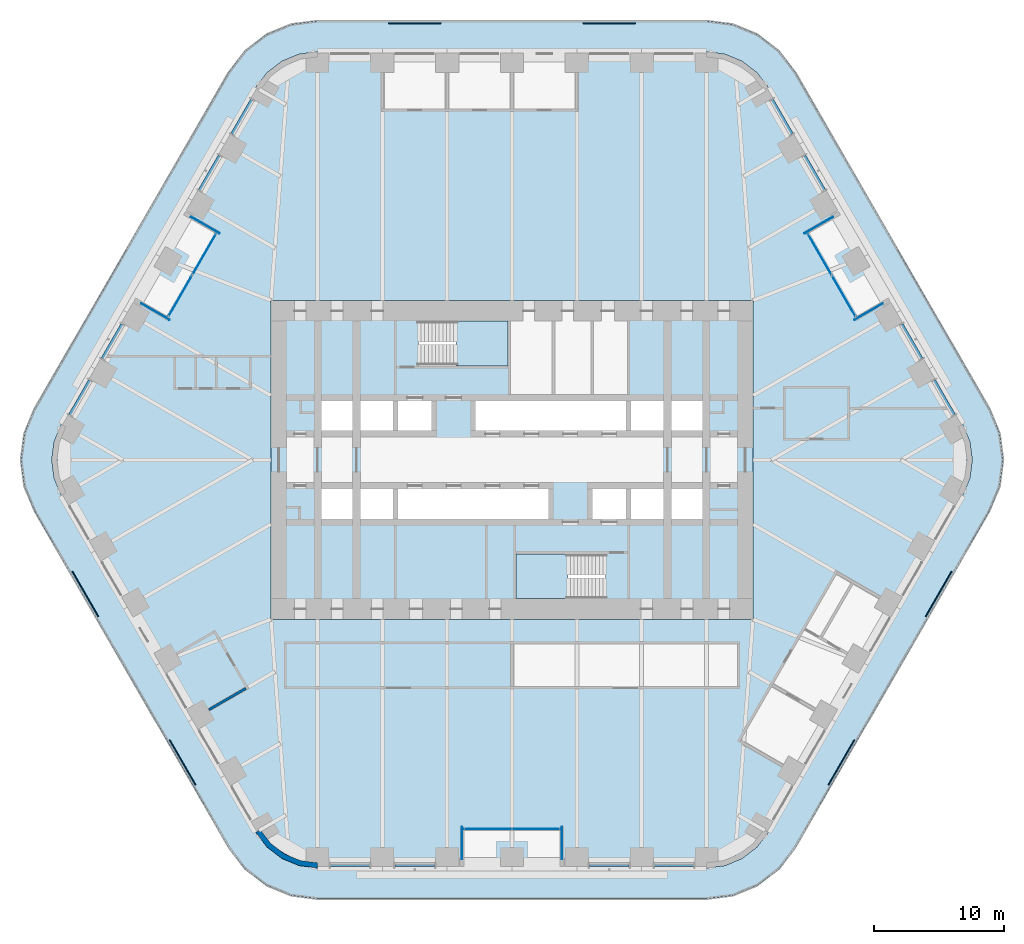
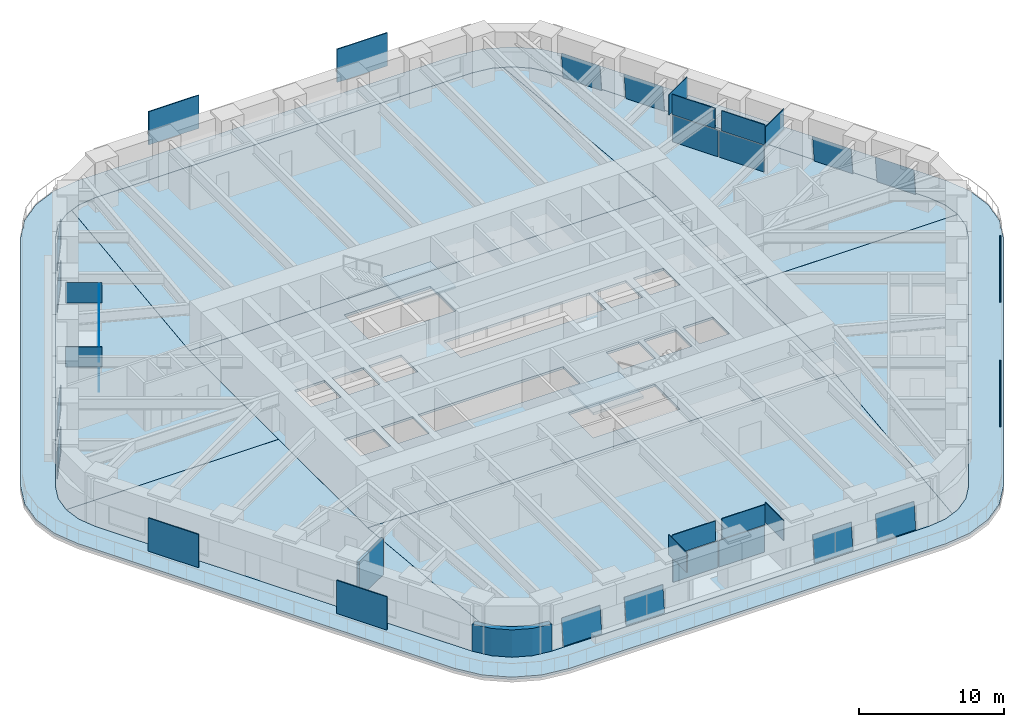
# One storey, part 16 of 24: 36 plates, 10 slabs, 2 walls, 17 elements without a shape of their own.
"""IFC4 building model written with IfcOpenShell, lengths in metres."""

from ifc_helpers import new_model, si_unit, direction, frame, frame_2d, origin, origin_2d, place, context, subcontext, project, spatial, polyline, rectangle, outline, extrude, material, layer, layer_set, type_object, element, aggregate, save


model = new_model("IFC4")

# Units and contexts
model_context = context("Model", 3, precision=1e-05, world=origin(), true_north=direction((0.0, 1.0)))
body_context = subcontext(model_context, "Body", "Model", "MODEL_VIEW")
ifc_project = project(units=[si_unit("LENGTHUNIT", "METRE"), si_unit("AREAUNIT", "SQUARE_METRE"), si_unit("VOLUMEUNIT", "CUBIC_METRE"), si_unit("PLANEANGLEUNIT", "RADIAN"), si_unit("MASSUNIT", "GRAM", prefix="KILO")], contexts=[model_context])

# Site, building, storey
site_placement = place(None, origin())
site = spatial("IfcSite", under=ifc_project, at=site_placement, CompositionType="ELEMENT")
building_placement = place(site_placement, origin())
building = spatial("IfcBuilding", under=site, at=building_placement, Name="Tarfa Lantern Tower", CompositionType="ELEMENT")
storey_placement = place(building_placement, frame((0.0, 0.0, 123.699951171875)))
storey = spatial("IfcBuildingStorey", under=building, at=storey_placement, Name="L27", CompositionType="ELEMENT", Elevation=123.699951171875)

# Slab
ifc_material_1 = material(Name="Concrete C40/50", Category="concrete")
ifc_layer_1 = layer(ifc_material_1, 0.199951171875)
ifc_layer_set_1 = layer_set([ifc_layer_1], Name="BS2 BALCONY SLAB 200")
slab_type_1 = type_object("IfcSlabType", Name="BS2 BALCONY SLAB 200", PredefinedType="FLOOR", material=ifc_layer_set_1)
slab_1_placement = place(storey_placement, frame((0.0, 0.0, -0.199951171875)))
element("IfcSlab", 1, at=slab_1_placement, inside=storey, type_object=slab_type_1, Name="Balcony L27", PredefinedType="FLOOR", context=body_context, shape_type="SweptSolid", body=[
    extrude(outline(polyline([(36.86376953125, 3.949951171875), (21.852783203125, 29.949951171875), (20.59716796875, 31.586181640625), (18.961181640625, 32.841552734375), (17.0556640625, 33.630859375), (15.010986328125, 33.89990234375), (-15.010986328125, 33.89990234375), (-17.0556640625, 33.630859375), (-18.961181640625, 32.841552734375), (-20.59716796875, 31.586181640625), (-21.852783203125, 29.949951171875), (-36.86376953125, 3.949951171875), (-37.653076171875, 2.044677734375), (-37.922119140625, 0.0), (-37.653076171875, -2.044677734375), (-36.86376953125, -3.949951171875), (-21.852783203125, -29.949951171875), (-20.59716796875, -31.586181640625), (-18.961181640625, -32.841552734375), (-17.0556640625, -33.630859375), (-15.010986328125, -33.89990234375), (15.010986328125, -33.89990234375), (17.0556640625, -33.630859375), (18.961181640625, -32.841552734375), (20.59716796875, -31.586181640625), (21.852783203125, -29.949951171875), (36.86376953125, -3.949951171875), (37.653076171875, -2.044677734375), (37.922119140625, 0.0), (37.653076171875, 2.044677734375), (36.86376953125, 3.949951171875)]), holes=[polyline([(34.785400390625, 2.75), (19.774169921875, 28.75), (18.900146484375, 29.88916015625), (17.760986328125, 30.76318359375), (16.4345703125, 31.3125), (15.010986328125, 31.5), (-15.010986328125, 31.5), (-16.4345703125, 31.3125), (-17.760986328125, 30.76318359375), (-18.900146484375, 29.88916015625), (-19.774169921875, 28.75), (-34.785400390625, 2.75), (-35.334716796875, 1.423583984375), (-35.522216796875, 0.0), (-35.334716796875, -1.423583984375), (-34.785400390625, -2.75), (-19.774169921875, -28.75), (-18.900146484375, -29.88916015625), (-17.760986328125, -30.76318359375), (-16.4345703125, -31.3125), (-15.010986328125, -31.5), (15.010986328125, -31.5), (16.4345703125, -31.3125), (17.760986328125, -30.76318359375), (18.900146484375, -29.88916015625), (19.774169921875, -28.75), (34.785400390625, -2.75), (35.334716796875, -1.423583984375), (35.522216796875, 0.0), (35.334716796875, 1.423583984375), (34.785400390625, 2.75)])]), origin(), (0.0, 0.0, 1.0), 0.199951171875),
])

# Curtain wall, plate
ifc_material_2 = material(Name="Aluminium framed curtain wall", Category="aluminium")
curtain_wall_type_1 = type_object("IfcCurtainWallType", Name="CW2 CANTED GLAZING MID ZONE 2300", PredefinedType="USERDEFINED", material=ifc_material_2)
curtain_wall_1_placement = place(storey_placement, origin())
curtain_wall_1 = element("IfcCurtainWall", 2, at=curtain_wall_1_placement, inside=storey, type_object=curtain_wall_type_1, Name="CW2 NE L27", ObjectType="CURTAIN WALL", PredefinedType="USERDEFINED")
ifc_material_3 = material(Name="Laminated double glazing", Category="glass")
ifc_layer_2 = layer(ifc_material_3, 0.028076171875)
ifc_layer_set_2 = layer_set([ifc_layer_2], Name="CWP1 DOUBLE GLAZED PANEL")
plate_type_1 = type_object("IfcPlateType", Name="CWP1 DOUBLE GLAZED PANEL", PredefinedType="CURTAIN_PANEL", material=ifc_layer_set_2)
plate_1_placement = place(storey_placement, frame((34.21630859375, 3.53564453125, 0.0), z_axis=(0.860950188313, 0.497081668846, 0.108049006198), x_axis=(-0.500008936691, 0.866020244122, 0.0)))
plate_1 = element("IfcPlate", 3, at=plate_1_placement, type_object=plate_type_1, Name="CW2 panel 1.1", PredefinedType="CURTAIN_PANEL", context=body_context, shape_type="SweptSolid", body=[
    extrude(outline(polyline([(0.0, 0.0), (3.0736755317705216, -2.7755575615628914e-17), (3.073820952204966, 2.2482697621832255), (0.00014542043444425168, 2.2482697621832255), (0.0, 0.0)])), origin(), (0.0, 0.0, -1.0), 0.028076171875),
])
aggregate(curtain_wall_1, [plate_1])

curtain_wall_2_placement = place(storey_placement, origin())
curtain_wall_2 = element("IfcCurtainWall", 4, at=curtain_wall_2_placement, inside=storey, type_object=curtain_wall_type_1, Name="CW2 NE L27", ObjectType="CURTAIN WALL", PredefinedType="USERDEFINED")
plate_2_placement = place(storey_placement, frame((31.71435546875, 7.869140625, 0.0), z_axis=(0.860945136195, 0.497078751935, 0.108102668035), x_axis=(-0.500008936691, 0.866020244122, 0.0)))
plate_2 = element("IfcPlate", 5, at=plate_2_placement, type_object=plate_type_1, Name="CW2 panel 1.1", PredefinedType="CURTAIN_PANEL", context=body_context, shape_type="SweptSolid", body=[
    extrude(outline(polyline([(0.0, 0.0), (3.0736755317705216, -2.7755575615628914e-17), (3.0736095214813033, 2.2482829552702466), (-6.601028921829344e-05, 2.2482829552702466), (0.0, 0.0)])), origin(), (0.0, 0.0, -1.0), 0.028076171875),
])
aggregate(curtain_wall_2, [plate_2])

curtain_wall_3_placement = place(storey_placement, origin())
curtain_wall_3 = element("IfcCurtainWall", 6, at=curtain_wall_3_placement, inside=storey, type_object=curtain_wall_type_1, Name="CW2 NEB L27", ObjectType="CURTAIN WALL", PredefinedType="USERDEFINED")
plate_3_placement = place(storey_placement, frame((24.208740234375, 20.869140625, 0.0), z_axis=(0.860953884959, 0.497083803157, 0.108009724623), x_axis=(-0.500008936691, 0.866020244122, 0.0)))
plate_3 = element("IfcPlate", 7, at=plate_3_placement, type_object=plate_type_1, Name="CW2 panel 1.1", PredefinedType="CURTAIN_PANEL", context=body_context, shape_type="SweptSolid", body=[
    extrude(outline(polyline([(0.0, 0.0), (3.0736755317705216, -2.7755575615628914e-17), (3.073487448986994, 2.248260108870411), (-0.000188082783527721, 2.248260108870411), (0.0, 0.0)])), origin(), (0.0, 0.0, -1.0), 0.028076171875),
])
aggregate(curtain_wall_3, [plate_3])

curtain_wall_4_placement = place(storey_placement, origin())
curtain_wall_4 = element("IfcCurtainWall", 8, at=curtain_wall_4_placement, inside=storey, type_object=curtain_wall_type_1, Name="CW2 NEB L27", ObjectType="CURTAIN WALL", PredefinedType="USERDEFINED")
plate_4_placement = place(storey_placement, frame((21.70703125, 25.202392578125, 0.0), z_axis=(0.86095753291, 0.497063114566, 0.10807583756), x_axis=(-0.499991940844, 0.866030056687, 2.133498e-06)))
plate_4 = element("IfcPlate", 9, at=plate_4_placement, type_object=plate_type_1, Name="CW2 panel 1.1", PredefinedType="CURTAIN_PANEL", context=body_context, shape_type="SweptSolid", body=[
    extrude(outline(polyline([(0.0, 0.0), (3.07367553117162, -2.7755575615628914e-17), (3.0738209528038953, 2.2482697613643725), (-6.60114870335402e-05, 2.2482829544514407), (0.0, 0.0)])), origin(), (0.0, 0.0, -1.0), 0.028076171875),
])
aggregate(curtain_wall_4, [plate_4])

# Curtain wall, plates
curtain_wall_type_2 = type_object("IfcCurtainWallType", Name="CW10 LOGGIA GLAZING 2300", PredefinedType="USERDEFINED", material=ifc_material_2)
curtain_wall_5_placement = place(storey_placement, origin())
curtain_wall_5 = element("IfcCurtainWall", 10, at=curtain_wall_5_placement, inside=storey, type_object=curtain_wall_type_2, Name="CW10 NEL L27", ObjectType="CURTAIN WALL", PredefinedType="USERDEFINED")
plate_5_placement = place(storey_placement, frame((25.599609375, 12.660400390625, 0.0), z_axis=(0.0, 0.0, 1.0), x_axis=(-0.5, 0.866025403784, 0.0)))
plate_5 = element("IfcPlate", 11, at=plate_5_placement, type_object=plate_type_1, Name="CW10 panel 1.1", PredefinedType="CURTAIN_PANEL", context=body_context, shape_type="SweptSolid", body=[
    extrude(rectangle(XDim=3.606201171875, YDim=0.028076171875, at=origin_2d()), origin(), (0.0, 0.0, 1.0), 2.235107421875),
])
plate_6_placement = place(storey_placement, frame((23.763916015625, 15.839599609375, 0.0), z_axis=(0.0, 0.0, 1.0), x_axis=(-0.5, 0.866025403784, 0.0)))
plate_6 = element("IfcPlate", 12, at=plate_6_placement, type_object=plate_type_1, Name="CW10 panel 2.1", PredefinedType="CURTAIN_PANEL", context=body_context, shape_type="SweptSolid", body=[
    extrude(rectangle(XDim=3.606201171875, YDim=0.028076171875, at=origin_2d()), origin(), (0.0, 0.0, 1.0), 2.235107421875),
])
aggregate(curtain_wall_5, [plate_5, plate_6])

# Curtain wall, plate
curtain_wall_6_placement = place(storey_placement, origin())
curtain_wall_6 = element("IfcCurtainWall", 13, at=curtain_wall_6_placement, inside=storey, type_object=curtain_wall_type_1, Name="CW2 NW L27", ObjectType="CURTAIN WALL", PredefinedType="USERDEFINED")
plate_7_placement = place(storey_placement, frame((-20.170166015625, 27.8642578125, 0.0), z_axis=(-0.86095753291, 0.497063114566, 0.10807583756), x_axis=(-0.499991940844, -0.866030056687, -2.133498e-06)))
plate_7 = element("IfcPlate", 14, at=plate_7_placement, type_object=plate_type_1, Name="CW2 panel 1.1", PredefinedType="CURTAIN_PANEL", context=body_context, shape_type="SweptSolid", body=[
    extrude(outline(polyline([(0.0, 0.0), (3.07367553117162, 2.7755575615628914e-17), (3.0737415426586536, 2.2482829544514407), (-0.00014542163227493655, 2.2482697613643725), (0.0, 0.0)])), origin(), (0.0, 0.0, -1.0), 0.028076171875),
])
aggregate(curtain_wall_6, [plate_7])

curtain_wall_7_placement = place(storey_placement, origin())
curtain_wall_7 = element("IfcCurtainWall", 15, at=curtain_wall_7_placement, inside=storey, type_object=curtain_wall_type_1, Name="CW2 NW L27", ObjectType="CURTAIN WALL", PredefinedType="USERDEFINED")
plate_8_placement = place(storey_placement, frame((-22.671875, 23.531005859375, 0.0), z_axis=(-0.860953884959, 0.497083803157, 0.108009724623), x_axis=(-0.500008936691, -0.866020244122, 0.0)))
plate_8 = element("IfcPlate", 16, at=plate_8_placement, type_object=plate_type_1, Name="CW2 panel 1.1", PredefinedType="CURTAIN_PANEL", context=body_context, shape_type="SweptSolid", body=[
    extrude(outline(polyline([(0.0, 0.0), (3.0736755317705216, 2.7755575615628914e-17), (3.073863614554049, 2.248260108870411), (0.000188082783527721, 2.248260108870411), (0.0, 0.0)])), origin(), (0.0, 0.0, -1.0), 0.028076171875),
])
aggregate(curtain_wall_7, [plate_8])

curtain_wall_8_placement = place(storey_placement, origin())
curtain_wall_8 = element("IfcCurtainWall", 17, at=curtain_wall_8_placement, inside=storey, type_object=curtain_wall_type_1, Name="CW2 NWB L27", ObjectType="CURTAIN WALL", PredefinedType="USERDEFINED")
plate_9_placement = place(storey_placement, frame((-30.177490234375, 10.531005859375, 0.0), z_axis=(-0.860945136195, 0.497078751935, 0.108102668035), x_axis=(-0.500008936691, -0.866020244122, 0.0)))
plate_9 = element("IfcPlate", 18, at=plate_9_placement, type_object=plate_type_1, Name="CW2 panel 1.1", PredefinedType="CURTAIN_PANEL", context=body_context, shape_type="SweptSolid", body=[
    extrude(outline(polyline([(0.0, 0.0), (3.0736755317705216, 2.7755575615628914e-17), (3.07374154205974, 2.2482829552702466), (6.601028921829344e-05, 2.2482829552702466), (0.0, 0.0)])), origin(), (0.0, 0.0, -1.0), 0.028076171875),
])
aggregate(curtain_wall_8, [plate_9])

curtain_wall_9_placement = place(storey_placement, origin())
curtain_wall_9 = element("IfcCurtainWall", 19, at=curtain_wall_9_placement, inside=storey, type_object=curtain_wall_type_1, Name="CW2 NWB L27", ObjectType="CURTAIN WALL", PredefinedType="USERDEFINED")
plate_10_placement = place(storey_placement, frame((-32.679443359375, 6.197509765625, 0.0), z_axis=(-0.860950188313, 0.497081668846, 0.108049006198), x_axis=(-0.500008936691, -0.866020244122, 0.0)))
plate_10 = element("IfcPlate", 20, at=plate_10_placement, type_object=plate_type_1, Name="CW2 panel 1.1", PredefinedType="CURTAIN_PANEL", context=body_context, shape_type="SweptSolid", body=[
    extrude(outline(polyline([(0.0, 0.0), (3.0736755317705216, 2.7755575615628914e-17), (3.0735301113360776, 2.2482697621832255), (-0.00014542043444425168, 2.2482697621832255), (0.0, 0.0)])), origin(), (0.0, 0.0, -1.0), 0.028076171875),
])
aggregate(curtain_wall_9, [plate_10])

# Curtain wall, plates
curtain_wall_10_placement = place(storey_placement, origin())
curtain_wall_10 = element("IfcCurtainWall", 21, at=curtain_wall_10_placement, inside=storey, type_object=curtain_wall_type_2, Name="CW10 NWL L27", ObjectType="CURTAIN WALL", PredefinedType="USERDEFINED")
plate_11_placement = place(storey_placement, frame((-23.763916015625, 15.839599609375, 0.0), z_axis=(0.0, 0.0, 1.0), x_axis=(-0.5, -0.866025403784, 0.0)))
plate_11 = element("IfcPlate", 22, at=plate_11_placement, type_object=plate_type_1, Name="CW10 panel 1.1", PredefinedType="CURTAIN_PANEL", context=body_context, shape_type="SweptSolid", body=[
    extrude(rectangle(XDim=3.606201171875, YDim=0.028076171875, at=origin_2d()), origin(), (0.0, 0.0, 1.0), 2.235107421875),
])
plate_12_placement = place(storey_placement, frame((-25.599609375, 12.660400390625, 0.0), z_axis=(0.0, 0.0, 1.0), x_axis=(-0.5, -0.866025403784, 0.0)))
plate_12 = element("IfcPlate", 23, at=plate_12_placement, type_object=plate_type_1, Name="CW10 panel 2.1", PredefinedType="CURTAIN_PANEL", context=body_context, shape_type="SweptSolid", body=[
    extrude(rectangle(XDim=3.606201171875, YDim=0.028076171875, at=origin_2d()), origin(), (0.0, 0.0, 1.0), 2.235107421875),
])
aggregate(curtain_wall_10, [plate_11, plate_12])

# Curtain wall, plate
curtain_wall_11_placement = place(storey_placement, origin())
curtain_wall_11 = element("IfcCurtainWall", 24, at=curtain_wall_11_placement, inside=storey, type_object=curtain_wall_type_1, Name="CW2 S L27", ObjectType="CURTAIN WALL", PredefinedType="USERDEFINED")
plate_13_placement = place(storey_placement, frame((-14.046142578125, -31.39990234375, 0.0), z_axis=(0.0, -0.994145730989, 0.108047515274), x_axis=(1.0, 0.0, 0.0)))
plate_13 = element("IfcPlate", 25, at=plate_13_placement, type_object=plate_type_1, Name="CW2 panel 1.1", PredefinedType="CURTAIN_PANEL", context=body_context, shape_type="SweptSolid", body=[
    extrude(outline(polyline([(0.0, 0.0), (3.07373046875, 0.0), (3.07373046875, 2.2482693957274034), (0.0, 2.2482693957274034), (0.0, 0.0)])), origin(), (0.0, 0.0, -1.0), 0.028076171875),
])
aggregate(curtain_wall_11, [plate_13])

curtain_wall_12_placement = place(storey_placement, origin())
curtain_wall_12 = element("IfcCurtainWall", 26, at=curtain_wall_12_placement, inside=storey, type_object=curtain_wall_type_1, Name="CW2 S L27", ObjectType="CURTAIN WALL", PredefinedType="USERDEFINED")
plate_14_placement = place(storey_placement, frame((-9.04248046875, -31.39990234375, 0.0), z_axis=(0.0, -0.994145730989, 0.108047515274), x_axis=(1.0, 0.0, 0.0)))
plate_14 = element("IfcPlate", 27, at=plate_14_placement, type_object=plate_type_1, Name="CW2 panel 1.1", PredefinedType="CURTAIN_PANEL", context=body_context, shape_type="SweptSolid", body=[
    extrude(outline(polyline([(0.0, 0.0), (3.07373046875, 0.0), (3.07373046875, 2.2482693957274034), (0.0, 2.2482693957274034), (0.0, 0.0)])), origin(), (0.0, 0.0, -1.0), 0.028076171875),
])
aggregate(curtain_wall_12, [plate_14])

curtain_wall_13_placement = place(storey_placement, origin())
curtain_wall_13 = element("IfcCurtainWall", 28, at=curtain_wall_13_placement, inside=storey, type_object=curtain_wall_type_1, Name="CW2 SB L27", ObjectType="CURTAIN WALL", PredefinedType="USERDEFINED")
plate_15_placement = place(storey_placement, frame((5.96875, -31.39990234375, 0.0), z_axis=(0.0, -0.994145730989, 0.108047515274), x_axis=(1.0, 0.0, 0.0)))
plate_15 = element("IfcPlate", 29, at=plate_15_placement, type_object=plate_type_1, Name="CW2 panel 1.1", PredefinedType="CURTAIN_PANEL", context=body_context, shape_type="SweptSolid", body=[
    extrude(outline(polyline([(0.0, 0.0), (3.07373046875, 0.0), (3.07373046875, 2.2482693957274034), (0.0, 2.2482693957274034), (0.0, 0.0)])), origin(), (0.0, 0.0, -1.0), 0.028076171875),
])
aggregate(curtain_wall_13, [plate_15])

curtain_wall_14_placement = place(storey_placement, origin())
curtain_wall_14 = element("IfcCurtainWall", 30, at=curtain_wall_14_placement, inside=storey, type_object=curtain_wall_type_1, Name="CW2 SB L27", ObjectType="CURTAIN WALL", PredefinedType="USERDEFINED")
plate_16_placement = place(storey_placement, frame((10.972412109375, -31.39990234375, 0.0), z_axis=(0.0, -0.994145730989, 0.108047515274), x_axis=(1.0, 0.0, 0.0)))
plate_16 = element("IfcPlate", 31, at=plate_16_placement, type_object=plate_type_1, Name="CW2 panel 1.1", PredefinedType="CURTAIN_PANEL", context=body_context, shape_type="SweptSolid", body=[
    extrude(outline(polyline([(0.0, 0.0), (3.07373046875, 0.0), (3.07373046875, 2.2482693957274034), (0.0, 2.2482693957274034), (0.0, 0.0)])), origin(), (0.0, 0.0, -1.0), 0.028076171875),
])
aggregate(curtain_wall_14, [plate_16])

# Curtain wall, plates
curtain_wall_15_placement = place(storey_placement, origin())
curtain_wall_15 = element("IfcCurtainWall", 32, at=curtain_wall_15_placement, inside=storey, type_object=curtain_wall_type_2, Name="CW10 SL L27", ObjectType="CURTAIN WALL", PredefinedType="USERDEFINED")
plate_17_placement = place(storey_placement, frame((-1.835693359375, -28.5, 0.0), z_axis=(0.0, 0.0, 1.0), x_axis=(1.0, 0.0, 0.0)))
plate_17 = element("IfcPlate", 33, at=plate_17_placement, type_object=plate_type_1, Name="CW10 panel 1.1", PredefinedType="CURTAIN_PANEL", context=body_context, shape_type="SweptSolid", body=[
    extrude(rectangle(XDim=3.606201171875, YDim=0.028076171875, at=origin_2d()), origin(), (0.0, 0.0, 1.0), 2.235107421875),
])
plate_18_placement = place(storey_placement, frame((1.835693359375, -28.5, 0.0), z_axis=(0.0, 0.0, 1.0), x_axis=(1.0, 0.0, 0.0)))
plate_18 = element("IfcPlate", 34, at=plate_18_placement, type_object=plate_type_1, Name="CW10 panel 2.1", PredefinedType="CURTAIN_PANEL", context=body_context, shape_type="SweptSolid", body=[
    extrude(rectangle(XDim=3.606201171875, YDim=0.028076171875, at=origin_2d()), origin(), (0.0, 0.0, 1.0), 2.235107421875),
])
aggregate(curtain_wall_15, [plate_17, plate_18])

# Slabs
ifc_layer_3 = layer(ifc_material_1, 0.199951171875)
ifc_layer_set_3 = layer_set([ifc_layer_3], Name="FS1 FLOOR SLAB 200")
slab_type_2 = type_object("IfcSlabType", Name="FS1 FLOOR SLAB 200", PredefinedType="FLOOR", material=ifc_layer_set_3)
slab_2_placement = place(storey_placement, frame((0.0, 0.0, -0.199951171875)))
element("IfcSlab", 35, at=slab_2_placement, inside=storey, type_object=slab_type_2, Name="Floor slab L27", PredefinedType="FLOOR", context=body_context, shape_type="SweptSolid", body=[
    extrude(outline(polyline([(-18.60009765625, -12.300048828125), (18.60009765625, -12.300048828125), (18.60009765625, 12.300048828125), (-18.60009765625, 12.300048828125), (-18.60009765625, -12.300048828125)]), holes=[polyline([(-14.699951171875, 2.25), (-12.300048828125, 2.25), (-12.300048828125, 4.550048828125), (-14.699951171875, 4.550048828125), (-14.699951171875, 2.25)]), polyline([(-11.699951171875, 2.25), (-9.199951171875, 2.25), (-9.199951171875, 4.550048828125), (-11.699951171875, 4.550048828125), (-11.699951171875, 2.25)]), polyline([(-8.800048828125, 2.25), (-6.199951171875, 2.25), (-6.199951171875, 4.550048828125), (-8.800048828125, 4.550048828125), (-8.800048828125, 2.25)]), polyline([(-2.800048828125, 2.25), (8.800048828125, 2.25), (8.800048828125, 4.550048828125), (-2.800048828125, 4.550048828125), (-2.800048828125, 2.25)]), polyline([(9.199951171875, 2.25), (11.699951171875, 2.25), (11.699951171875, 4.550048828125), (9.199951171875, 4.550048828125), (9.199951171875, 2.25)]), polyline([(12.300048828125, 2.25), (14.699951171875, 2.25), (14.699951171875, 4.550048828125), (12.300048828125, 4.550048828125), (12.300048828125, 2.25)]), polyline([(14.699951171875, -2.25), (12.300048828125, -2.25), (12.300048828125, -4.550048828125), (14.699951171875, -4.550048828125), (14.699951171875, -2.25)]), polyline([(11.699951171875, -2.25), (9.199951171875, -2.25), (9.199951171875, -4.550048828125), (11.699951171875, -4.550048828125), (11.699951171875, -2.25)]), polyline([(8.800048828125, -2.25), (6.199951171875, -2.25), (6.199951171875, -4.550048828125), (8.800048828125, -4.550048828125), (8.800048828125, -2.25)]), polyline([(2.800048828125, -2.25), (-8.800048828125, -2.25), (-8.800048828125, -4.550048828125), (2.800048828125, -4.550048828125), (2.800048828125, -2.25)]), polyline([(-9.199951171875, -2.25), (-11.699951171875, -2.25), (-11.699951171875, -4.550048828125), (-9.199951171875, -4.550048828125), (-9.199951171875, -2.25)]), polyline([(-12.300048828125, -2.25), (-14.699951171875, -2.25), (-14.699951171875, -4.550048828125), (-12.300048828125, -4.550048828125), (-12.300048828125, -2.25)]), polyline([(-7.199951171875, 7.25), (-0.300048828125, 7.25), (-0.300048828125, 10.699951171875), (-7.199951171875, 10.699951171875), (-7.199951171875, 7.25)]), polyline([(7.199951171875, -7.25), (0.300048828125, -7.25), (0.300048828125, -10.699951171875), (7.199951171875, -10.699951171875), (7.199951171875, -7.25)])]), origin(), (0.0, 0.0, 1.0), 0.199951171875),
])
slab_3_placement = place(storey_placement, frame((0.0, 0.0, -0.199951171875)))
element("IfcSlab", 36, at=slab_3_placement, inside=storey, type_object=slab_type_2, Name="Floor slab L27 NE bay", PredefinedType="FLOOR", context=body_context, shape_type="SweptSolid", body=[
    extrude(outline(polyline([(34.783447265625, 2.7490234375), (19.7724609375, 28.748779296875), (18.898681640625, 29.8876953125), (17.760009765625, 30.761474609375), (17.19189453125, 30.996826171875), (18.60205078125, 12.300048828125), (18.60205078125, 0.001953125), (35.52001953125, 0.001953125), (35.332763671875, 1.423095703125), (34.783447265625, 2.7490234375)])), origin(), (0.0, 0.0, 1.0), 0.199951171875),
])
slab_4_placement = place(storey_placement, frame((0.0, 0.0, -0.199951171875)))
element("IfcSlab", 37, at=slab_4_placement, inside=storey, type_object=slab_type_2, Name="Floor slab L27 N bay", PredefinedType="FLOOR", context=body_context, shape_type="SweptSolid", body=[
    extrude(outline(polyline([(-18.597900390625, 12.302001953125), (18.597900390625, 12.302001953125), (17.187744140625, 30.99853515625), (16.43408203125, 31.310546875), (15.010986328125, 31.498046875), (-15.010986328125, 31.498046875), (-16.43408203125, 31.310546875), (-17.187744140625, 30.99853515625), (-18.597900390625, 12.302001953125)])), origin(), (0.0, 0.0, 1.0), 0.199951171875),
])
slab_5_placement = place(storey_placement, frame((0.0, 0.0, -0.199951171875)))
element("IfcSlab", 38, at=slab_5_placement, inside=storey, type_object=slab_type_2, Name="Floor slab L27 NW bay", PredefinedType="FLOOR", context=body_context, shape_type="SweptSolid", body=[
    extrude(outline(polyline([(-18.60205078125, 0.001953125), (-18.60205078125, 12.300048828125), (-17.19189453125, 30.996826171875), (-17.760009765625, 30.761474609375), (-18.898681640625, 29.8876953125), (-19.7724609375, 28.748779296875), (-34.783447265625, 2.7490234375), (-35.332763671875, 1.423095703125), (-35.52001953125, 0.001953125), (-18.60205078125, 0.001953125)])), origin(), (0.0, 0.0, 1.0), 0.199951171875),
])
slab_6_placement = place(storey_placement, frame((0.0, 0.0, -0.199951171875)))
element("IfcSlab", 39, at=slab_6_placement, inside=storey, type_object=slab_type_2, Name="Floor slab L27 SW bay", PredefinedType="FLOOR", context=body_context, shape_type="SweptSolid", body=[
    extrude(outline(polyline([(-18.60205078125, -12.300048828125), (-18.60205078125, -0.001953125), (-35.52001953125, -0.001953125), (-35.332763671875, -1.423095703125), (-34.783447265625, -2.7490234375), (-19.7724609375, -28.748779296875), (-18.898681640625, -29.8876953125), (-17.760009765625, -30.761474609375), (-17.19189453125, -30.996826171875), (-18.60205078125, -12.300048828125)])), origin(), (0.0, 0.0, 1.0), 0.199951171875),
])
slab_7_placement = place(storey_placement, frame((0.0, 0.0, -0.199951171875)))
element("IfcSlab", 40, at=slab_7_placement, inside=storey, type_object=slab_type_2, Name="Floor slab L27 S bay", PredefinedType="FLOOR", context=body_context, shape_type="SweptSolid", body=[
    extrude(outline(polyline([(18.597900390625, -12.302001953125), (-18.597900390625, -12.302001953125), (-17.187744140625, -30.99853515625), (-16.43408203125, -31.310546875), (-15.010986328125, -31.498046875), (15.010986328125, -31.498046875), (16.43408203125, -31.310546875), (17.187744140625, -30.99853515625), (18.597900390625, -12.302001953125)])), origin(), (0.0, 0.0, 1.0), 0.199951171875),
])
slab_8_placement = place(storey_placement, frame((0.0, 0.0, -0.199951171875)))
element("IfcSlab", 41, at=slab_8_placement, inside=storey, type_object=slab_type_2, Name="Floor slab L27 SE bay", PredefinedType="FLOOR", context=body_context, shape_type="SweptSolid", body=[
    extrude(outline(polyline([(18.60205078125, -0.001953125), (18.60205078125, -12.300048828125), (17.19189453125, -30.996826171875), (17.760009765625, -30.761474609375), (18.898681640625, -29.8876953125), (19.7724609375, -28.748779296875), (34.783447265625, -2.7490234375), (35.332763671875, -1.423095703125), (35.52001953125, -0.001953125), (18.60205078125, -0.001953125)])), origin(), (0.0, 0.0, 1.0), 0.199951171875),
])

# Plates
ifc_material_4 = material(Name="Aluminium fascia panel", Category="aluminium")
ifc_layer_4 = layer(ifc_material_4, 0.050048828125)
ifc_layer_set_4 = layer_set([ifc_layer_4], Name="LF1 LOGGIA HEAD FASCIA 50")
plate_type_2 = type_object("IfcPlateType", Name="LF1 LOGGIA HEAD FASCIA 50", PredefinedType="USERDEFINED", material=ifc_layer_set_4)
for number, where, z_axis, x_axis, name in (
    (42, (25.670166015625, 12.5380859375, 2.30029296875), (0.0, 0.0, 1.0), (-0.5, 0.866025403784, 0.0), "Loggia head fascia NE"),
    (43, (23.693359375, 15.9619140625, 2.30029296875), (0.0, 0.0, 1.0), (-0.5, 0.866025403784, 0.0), "Loggia head fascia NE"),
):
    element("IfcPlate", number, at=place(storey_placement, frame(where, z_axis=z_axis, x_axis=x_axis)), inside=storey, type_object=plate_type_2, Name=name, ObjectType="FASCIA", PredefinedType="USERDEFINED", context=body_context, shape_type="SweptSolid", body=[
        extrude(rectangle(XDim=3.45361328125, YDim=0.050048828125, at=origin_2d()), origin(), (0.0, 0.0, 1.0), 1.699951171875),
    ])
for number, where, z_axis, x_axis, name in (
    (44, (27.526611328125, 11.442626953125, 2.30029296875), (0.0, 0.0, 1.0), (-0.866025403784, -0.5, 0.0), "Loggia head fascia NE"),
    (45, (23.6728515625, 18.117431640625, 2.30029296875), (0.0, 0.0, 1.0), (-0.866025403784, -0.5, 0.0), "Loggia head fascia NE"),
):
    element("IfcPlate", number, at=place(storey_placement, frame(where, z_axis=z_axis, x_axis=x_axis)), inside=storey, type_object=plate_type_2, Name=name, ObjectType="FASCIA", PredefinedType="USERDEFINED", context=body_context, shape_type="SweptSolid", body=[
        extrude(rectangle(XDim=2.52001953125, YDim=0.050048828125, at=origin_2d()), origin(), (0.0, 0.0, 1.0), 1.699951171875),
    ])
for number, where, z_axis, x_axis, name in (
    (46, (-23.693359375, 15.9619140625, 2.30029296875), (0.0, 0.0, 1.0), (-0.5, -0.866025403784, 0.0), "Loggia head fascia NW"),
    (47, (-25.670166015625, 12.5380859375, 2.30029296875), (0.0, 0.0, 1.0), (-0.5, -0.866025403784, 0.0), "Loggia head fascia NW"),
):
    element("IfcPlate", number, at=place(storey_placement, frame(where, z_axis=z_axis, x_axis=x_axis)), inside=storey, type_object=plate_type_2, Name=name, ObjectType="FASCIA", PredefinedType="USERDEFINED", context=body_context, shape_type="SweptSolid", body=[
        extrude(rectangle(XDim=3.45361328125, YDim=0.050048828125, at=origin_2d()), origin(), (0.0, 0.0, 1.0), 1.699951171875),
    ])
for number, where, z_axis, x_axis, name in (
    (48, (-23.6728515625, 18.117431640625, 2.30029296875), (0.0, 0.0, 1.0), (0.866025403784, -0.5, 0.0), "Loggia head fascia NW"),
    (49, (-27.526611328125, 11.442626953125, 2.30029296875), (0.0, 0.0, 1.0), (0.866025403784, -0.5, 0.0), "Loggia head fascia NW"),
):
    element("IfcPlate", number, at=place(storey_placement, frame(where, z_axis=z_axis, x_axis=x_axis)), inside=storey, type_object=plate_type_2, Name=name, ObjectType="FASCIA", PredefinedType="USERDEFINED", context=body_context, shape_type="SweptSolid", body=[
        extrude(rectangle(XDim=2.52001953125, YDim=0.050048828125, at=origin_2d()), origin(), (0.0, 0.0, 1.0), 1.699951171875),
    ])
for number, where, z_axis, x_axis, name in (
    (50, (-1.976806640625, -28.5, 2.30029296875), (0.0, 0.0, 1.0), (1.0, 0.0, 0.0), "Loggia head fascia S"),
    (51, (1.976806640625, -28.5, 2.30029296875), (0.0, 0.0, 1.0), (1.0, 0.0, 0.0), "Loggia head fascia S"),
):
    element("IfcPlate", number, at=place(storey_placement, frame(where, z_axis=z_axis, x_axis=x_axis)), inside=storey, type_object=plate_type_2, Name=name, ObjectType="FASCIA", PredefinedType="USERDEFINED", context=body_context, shape_type="SweptSolid", body=[
        extrude(rectangle(XDim=3.45361328125, YDim=0.050048828125, at=origin_2d()), origin(), (0.0, 0.0, 1.0), 1.699951171875),
    ])
for number, where, z_axis, x_axis, name in (
    (52, (-3.853759765625, -29.56005859375, 2.30029296875), (0.0, 0.0, 1.0), (0.0, 1.0, 0.0), "Loggia head fascia S"),
    (53, (3.853759765625, -29.56005859375, 2.30029296875), (0.0, 0.0, 1.0), (0.0, 1.0, 0.0), "Loggia head fascia S"),
):
    element("IfcPlate", number, at=place(storey_placement, frame(where, z_axis=z_axis, x_axis=x_axis)), inside=storey, type_object=plate_type_2, Name=name, ObjectType="FASCIA", PredefinedType="USERDEFINED", context=body_context, shape_type="SweptSolid", body=[
        extrude(rectangle(XDim=2.52001953125, YDim=0.050048828125, at=origin_2d()), origin(), (0.0, 0.0, 1.0), 1.699951171875),
    ])
ifc_material_5 = material(Name="Perforated limestone screen", Category="masonry")
ifc_layer_5 = layer(ifc_material_5, 0.080078125)
ifc_layer_set_5 = layer_set([ifc_layer_5], Name="SC1 STONE SCREEN 80")
plate_type_3 = type_object("IfcPlateType", Name="SC1 STONE SCREEN 80", PredefinedType="USERDEFINED", material=ifc_layer_set_5)
for number, where, z_axis, x_axis, name in (
    (54, (7.505615234375, 33.699951171875, 1.2001953125), (0.0, 0.0, 1.0), (-1.0, 0.0, 0.0), "Stone screen N 1"),
    (55, (-7.505615234375, 33.699951171875, 1.2001953125), (0.0, 0.0, 1.0), (-1.0, 0.0, 0.0), "Stone screen N 2"),
    (56, (-32.937744140625, -10.35009765625, 1.2001953125), (0.0, 0.0, 1.0), (0.5, -0.866025403784, 0.0), "Stone screen SW 1"),
    (57, (-25.432373046875, -23.35009765625, 1.2001953125), (0.0, 0.0, 1.0), (0.5, -0.866025403784, 0.0), "Stone screen SW 2"),
    (58, (25.432373046875, -23.35009765625, 1.2001953125), (0.0, 0.0, 1.0), (0.5, 0.866025403784, 0.0), "Stone screen SE 1"),
    (59, (32.937744140625, -10.35009765625, 1.2001953125), (0.0, 0.0, 1.0), (0.5, 0.866025403784, 0.0), "Stone screen SE 2"),
):
    element("IfcPlate", number, at=place(storey_placement, frame(where, z_axis=z_axis, x_axis=x_axis)), inside=storey, type_object=plate_type_3, Name=name, ObjectType="SCREEN", PredefinedType="USERDEFINED", context=body_context, shape_type="SweptSolid", body=[
        extrude(rectangle(XDim=4.0, YDim=0.080078125, at=origin_2d()), origin(), (0.0, 0.0, 1.0), 2.800048828125),
    ])

# Stair, slab
stair_type = type_object("IfcStairType", Name="ST-T10 HALF-TURN STAIR 4200 RISE", PredefinedType="HALF_TURN_STAIR", material=ifc_material_1)
stair_1_placement = place(storey_placement, origin())
stair_1 = element("IfcStair", 60, at=stair_1_placement, inside=storey, type_object=stair_type, Name="Stair ST1", PredefinedType="HALF_TURN_STAIR")
ifc_layer_6 = layer(ifc_material_1, 0.199951171875)
ifc_layer_set_6 = layer_set([ifc_layer_6], Name="SL1 STAIR LANDING 200")
slab_type_3 = type_object("IfcSlabType", Name="SL1 STAIR LANDING 200", PredefinedType="LANDING", material=ifc_layer_set_6)
slab_9_placement = place(storey_placement, frame((0.0, 0.0, 1.900146484375)))
slab_9 = element("IfcSlab", 61, at=slab_9_placement, type_object=slab_type_3, Name="ST1 landing 1", PredefinedType="LANDING", context=body_context, shape_type="SweptSolid", body=[
    extrude(outline(polyline([(-4.320068359375, 7.25), (-0.300048828125, 7.25), (-0.300048828125, 10.699951171875), (-4.320068359375, 10.699951171875), (-4.320068359375, 7.25)])), origin(), (0.0, 0.0, 1.0), 0.199951171875),
])
aggregate(stair_1, [slab_9])

stair_2_placement = place(storey_placement, origin())
stair_2 = element("IfcStair", 62, at=stair_2_placement, inside=storey, type_object=stair_type, Name="Stair ST2", PredefinedType="HALF_TURN_STAIR")
slab_10_placement = place(storey_placement, frame((0.0, 0.0, 1.900146484375)))
slab_10 = element("IfcSlab", 63, at=slab_10_placement, type_object=slab_type_3, Name="ST2 landing 1", PredefinedType="LANDING", context=body_context, shape_type="SweptSolid", body=[
    extrude(outline(polyline([(4.320068359375, -7.25), (0.300048828125, -7.25), (0.300048828125, -10.699951171875), (4.320068359375, -10.699951171875), (4.320068359375, -7.25)])), origin(), (0.0, 0.0, 1.0), 0.199951171875),
])
aggregate(stair_2, [slab_10])

# Walls
ifc_material_6 = material(Name="Limestone cladding on blockwork", Category="masonry")
ifc_layer_7 = layer(ifc_material_6, 0.39990234375)
ifc_layer_set_7 = layer_set([ifc_layer_7], Name="EW2 CURVED STONE CORNER 400")
wall_type_1 = type_object("IfcWallType", Name="EW2 CURVED STONE CORNER 400", PredefinedType="SOLIDWALL", material=ifc_layer_set_7)
wall_1_placement = place(storey_placement, origin())
element("IfcWall", 64, at=wall_1_placement, inside=storey, type_object=wall_type_1, Name="Stone corner SW-S", PredefinedType="SOLIDWALL", context=body_context, shape_type="SweptSolid", body=[
    extrude(outline(polyline([(-19.774169921875, -28.75), (-18.900146484375, -29.88916015625), (-17.760986328125, -30.76318359375), (-16.4345703125, -31.3125), (-15.010986328125, -31.5), (-15.010986328125, -31.10009765625), (-16.3310546875, -30.92626953125), (-17.56103515625, -30.416748046875), (-18.617431640625, -29.606201171875), (-19.427734375, -28.550048828125), (-19.774169921875, -28.75)])), origin(), (0.0, 0.0, 1.0), 2.300048828125),
])
ifc_material_7 = material(Name="Gypsum board on steel studs", Category="steel")
ifc_layer_8 = layer(ifc_material_7, 0.2099609375)
ifc_layer_set_8 = layer_set([ifc_layer_8], Name="IW2 ACOUSTIC PARTITION 200")
wall_type_2 = type_object("IfcWallType", Name="IW2 ACOUSTIC PARTITION 200", PredefinedType="PARTITIONING", material=ifc_layer_set_8)
wall_2_placement = place(storey_placement, frame((-20.534423828125, -17.63330078125, 0.0), z_axis=(0.0, 0.0, 1.0), x_axis=(-0.866008176907, -0.50002983664, 0.0)))
element("IfcWall", 65, at=wall_2_placement, inside=storey, type_object=wall_type_2, Name="Partition", PredefinedType="PARTITIONING", context=body_context, shape_type="SweptSolid", body=[
    extrude(rectangle(XDim=3.300048828125, YDim=0.199951171875, at=frame_2d((1.64990234375, 0.0))), origin(), (0.0, 0.0, 1.0), 3.08154296875),
])

save(model, "model.ifc")
